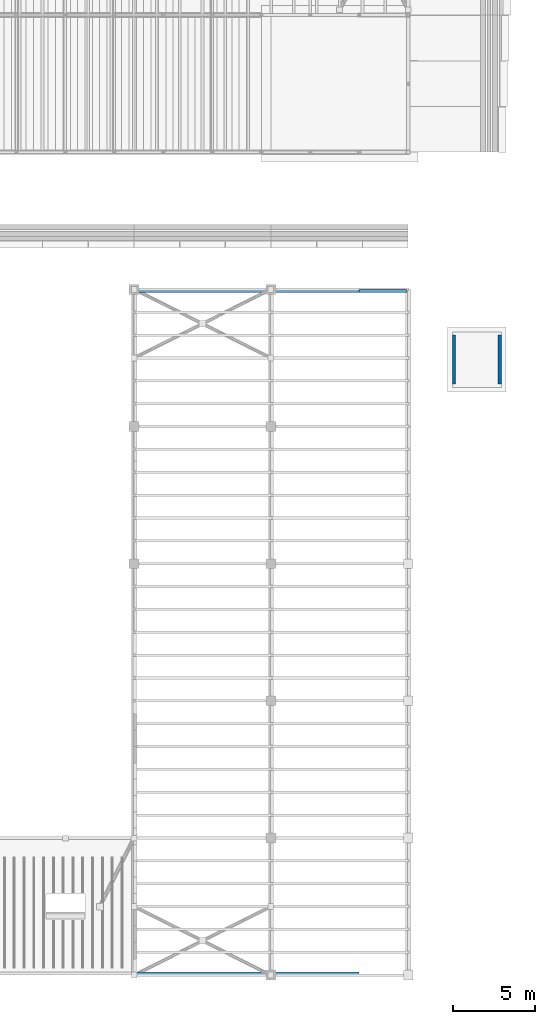
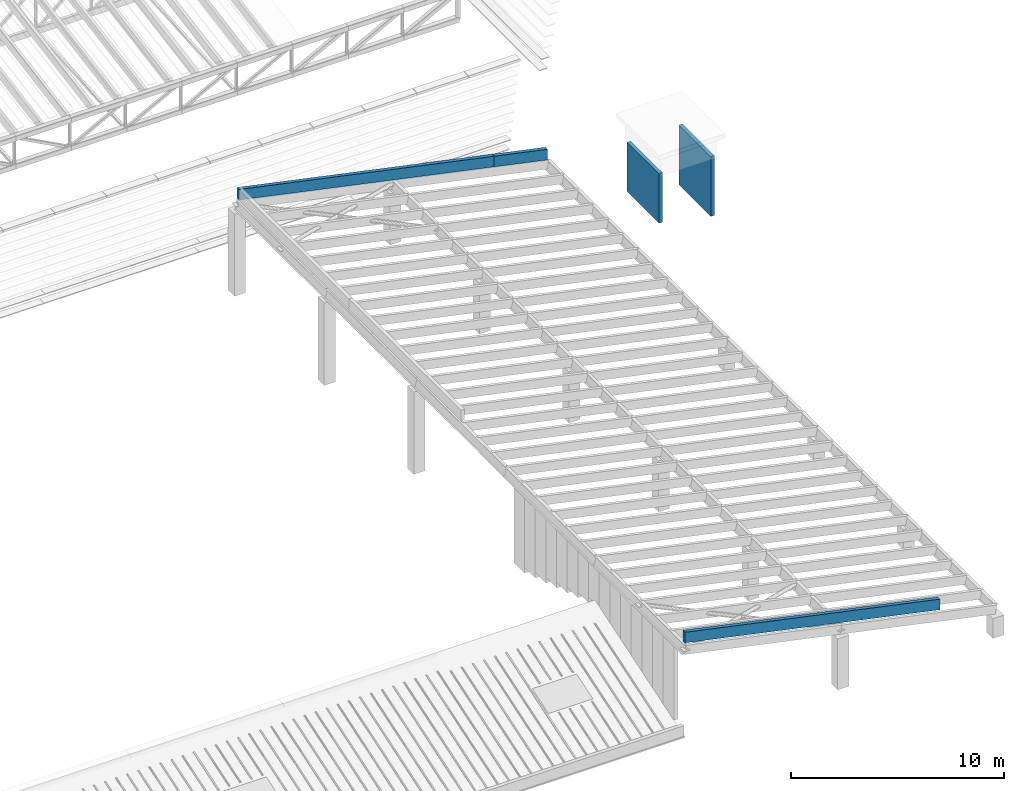
# One storey, part 66 of 91: 5 walls.
"""IFC4 building model written with IfcOpenShell, lengths in metres."""

from ifc_helpers import new_model, si_unit, direction, frame, frame_2d, origin, place, context, subcontext, project, spatial, polyline, rectangle, outline, extrude, material, layer, layer_set, type_object, element, save


model = new_model("IFC4")

# Units and contexts
model_context = context("Model", 3, precision=1e-05, world=origin(), true_north=direction((0.0, 1.0)))
body_context = subcontext(model_context, "Body", "Model", "MODEL_VIEW")
ifc_project = project(units=[si_unit("LENGTHUNIT", "METRE"), si_unit("AREAUNIT", "SQUARE_METRE"), si_unit("VOLUMEUNIT", "CUBIC_METRE"), si_unit("PLANEANGLEUNIT", "RADIAN"), si_unit("MASSUNIT", "GRAM", prefix="KILO")], contexts=[model_context])

# Site, building, storey
site_placement = place(None, origin())
site = spatial("IfcSite", under=ifc_project, at=site_placement, CompositionType="ELEMENT")
building_placement = place(site_placement, origin())
building = spatial("IfcBuilding", under=site, at=building_placement, Name="Almond Square Museum", CompositionType="ELEMENT")
storey_placement = place(building_placement, frame((0.0, 0.0, 30.0)))
storey = spatial("IfcBuildingStorey", under=building, at=storey_placement, Name="L05", CompositionType="ELEMENT", Elevation=30.0)

# Walls
ifc_material_1 = material(Name="Concrete C40/50", Category="concrete")
ifc_layer_1 = layer(ifc_material_1, 0.199951171875)
ifc_layer_set_1 = layer_set([ifc_layer_1], Name="Concrete C40/50")
wall_type_1 = type_object("IfcWallType", Name="RC lift machine room wall 200 C40/50", PredefinedType="SOLIDWALL", material=ifc_layer_set_1)
wall_1_placement = place(storey_placement, frame((151.60009765625, 36.199951171875, 0.590087890625), z_axis=(0.0, 0.0, 1.0), x_axis=(0.0, 1.0, 0.0)))
element("IfcWall", 1, at=wall_1_placement, inside=storey, type_object=wall_type_1, Name="Lift machine room X1 west wall", PredefinedType="SOLIDWALL", context=body_context, shape_type="SweptSolid", body=[
    extrude(rectangle(XDim=3.0, YDim=0.199951171875, at=frame_2d((1.5, 0.0))), origin(), (0.0, 0.0, 1.0), 2.822509765625),
])
wall_2_placement = place(storey_placement, frame((154.39990234375, 36.199951171875, -0.0048828125), z_axis=(0.0, 0.0, 1.0), x_axis=(0.0, 1.0, 0.0)))
element("IfcWall", 2, at=wall_2_placement, inside=storey, type_object=wall_type_1, Name="Lift machine room X1 east wall", PredefinedType="SOLIDWALL", context=body_context, shape_type="SweptSolid", body=[
    extrude(rectangle(XDim=3.0, YDim=0.199951171875, at=frame_2d((1.5, 0.0))), origin(), (0.0, 0.0, 1.0), 3.41748046875),
])
ifc_material_2 = material(Name="Concrete C30/37", Category="concrete")
ifc_layer_2 = layer(ifc_material_2, 0.199951171875)
ifc_layer_set_2 = layer_set([ifc_layer_2], Name="Concrete C30/37")
wall_type_2 = type_object("IfcWallType", Name="Roof parapet 200", PredefinedType="PARAPET", material=ifc_layer_set_2)
wall_3_placement = place(storey_placement, frame((132.0, 41.89990234375, 2.41845703125), z_axis=(0.0, 0.0, 1.0), x_axis=(1.0, 0.0, 0.0)))
element("IfcWall", 3, at=wall_3_placement, inside=storey, type_object=wall_type_2, Name="Roof parapet 12", PredefinedType="PARAPET", context=body_context, shape_type="SweptSolid", body=[
    extrude(outline(polyline([(0.0, 2.9326171875), (13.800048828125, 0.000244140625), (13.800048828125, 0.605224609375), (0.0, 3.53759765625), (0.0, 2.9326171875)])), frame((0.0, 0.10009765625, 0.0), z_axis=(0.0, -1.0, 0.0), x_axis=(1.0, 0.0, 0.0)), (0.0, 0.0, 1.0), 0.199951171875),
])
wall_4_placement = place(storey_placement, frame((145.800048828125, 41.89990234375, 1.802490234375), z_axis=(0.0, 0.0, 1.0), x_axis=(1.0, 0.0, 0.0)))
element("IfcWall", 4, at=wall_4_placement, inside=storey, type_object=wall_type_2, Name="Roof parapet 13", PredefinedType="PARAPET", context=body_context, shape_type="SweptSolid", body=[
    extrude(outline(polyline([(0.0, 0.615234375), (2.89794921875, 0.0), (2.89794921875, 0.605224609375), (0.0, 1.22021484375), (0.0, 0.615234375)])), frame((0.0, 0.10009765625, 0.0), z_axis=(0.0, -1.0, 0.0), x_axis=(1.0, 0.0, 0.0)), (0.0, 0.0, 1.0), 0.199951171875),
])
wall_5_placement = place(storey_placement, frame((132.0, 0.10009765625, 2.41845703125), z_axis=(0.0, 0.0, 1.0), x_axis=(1.0, 0.0, 0.0)))
element("IfcWall", 5, at=wall_5_placement, inside=storey, type_object=wall_type_2, Name="Roof parapet 19", PredefinedType="PARAPET", context=body_context, shape_type="SweptSolid", body=[
    extrude(outline(polyline([(0.0, 2.9326171875), (13.800048828125, 0.000244140625), (13.800048828125, 0.605224609375), (0.0, 3.53759765625), (0.0, 2.9326171875)])), frame((0.0, 0.10009765625, 0.0), z_axis=(0.0, -1.0, 0.0), x_axis=(1.0, 0.0, 0.0)), (0.0, 0.0, 1.0), 0.199951171875),
])

save(model, "model.ifc")
